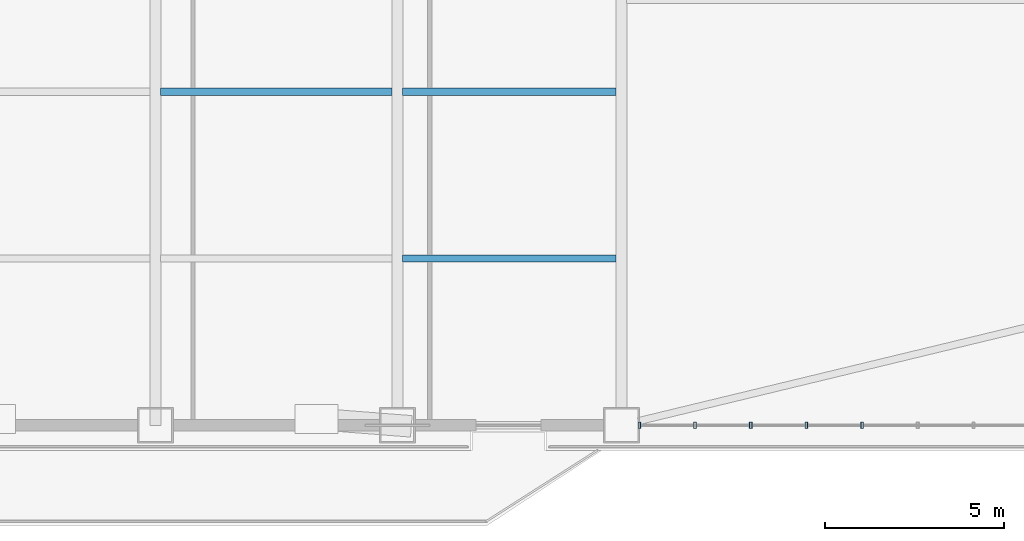
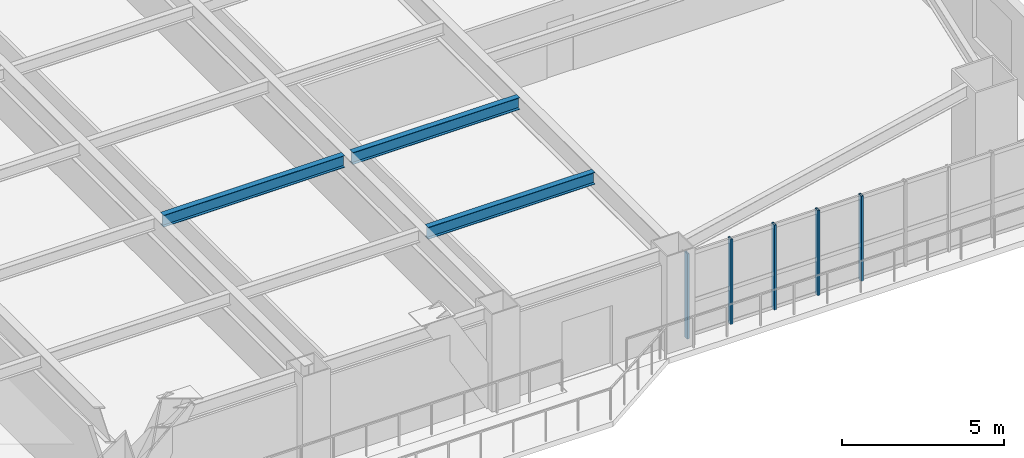
# One storey, part 6 of 18: 5 members, 3 beams, 1 element without a shape of its own.
"""IFC4 building model written with IfcOpenShell, lengths in metres."""

from ifc_helpers import new_model, si_unit, direction, frame, origin, origin_2d, place, context, subcontext, project, spatial, hollow_rectangle, i_section, extrude, source, transform, mapped, material, layer, layer_set, material_profile, profile_set, type_object, element, aggregate, save


model = new_model("IFC4")

# Units and contexts
model_context = context("Model", 3, precision=1e-05, world=origin(), true_north=direction((0.0, 1.0)))
body_context = subcontext(model_context, "Body", "Model", "MODEL_VIEW")
ifc_project = project(units=[si_unit("LENGTHUNIT", "METRE"), si_unit("AREAUNIT", "SQUARE_METRE"), si_unit("VOLUMEUNIT", "CUBIC_METRE"), si_unit("PLANEANGLEUNIT", "RADIAN"), si_unit("MASSUNIT", "GRAM", prefix="KILO")], contexts=[model_context])

# Site, building, storey
site_placement = place(None, origin())
site = spatial("IfcSite", under=ifc_project, at=site_placement, CompositionType="ELEMENT")
building_placement = place(site_placement, origin())
building = spatial("IfcBuilding", under=site, at=building_placement, Name="Giltprow Tower", CompositionType="ELEMENT")
storey_placement = place(building_placement, frame((0.0, 0.0, 61.10009765625)))
storey = spatial("IfcBuildingStorey", under=building, at=storey_placement, Name="L15", CompositionType="ELEMENT", Elevation=61.10009765625)

# Beams
ifc_material_1 = material(Name="Structural steel Q355B", Category="steel")
ifc_material_profile_1 = material_profile(ifc_material_1, i_section(OverallWidth=0.199951171875, OverallDepth=0.449951171875, WebThickness=0.009033203125, FlangeThickness=0.013916015625, at=origin_2d()), Name="HN 450x200x9x14")
ifc_profile_set_1 = profile_set([ifc_material_profile_1], Name="Structural steel Q355B")
beam_type = type_object("IfcBeamType", Name="BM-JOIST-HN450", PredefinedType="JOIST", material=ifc_profile_set_1)
shared_shape_1 = source(origin(), body_context, "Body", "SweptSolid", [
    extrude(i_section(OverallWidth=0.199951171875, OverallDepth=0.449951171875, WebThickness=0.009033203125, FlangeThickness=0.013916015625, at=origin_2d()), origin(), (0.0, 0.0, 1.0), 6.4599609375),
])
beam_placement = place(storey_placement, frame((37.695068359375, 14.18701171875, 3.454833984375), z_axis=(1.0, 0.0, 0.0), x_axis=(0.0, 1.0, 0.0)))
element("IfcBeam", 1, at=beam_placement, inside=storey, type_object=beam_type, Name="L15 Composite Floor Joist 2-3", PredefinedType="JOIST", context=body_context, shape_type="MappedRepresentation", body=[
    mapped(shared_shape_1, transform((0.0, 0.0, 0.0), x_axis=(1.0, 0.0, 0.0), y_axis=(0.0, 1.0, 0.0), z_axis=(0.0, 0.0, 1.0), scale=1.0)),
])
shared_shape_2 = source(origin(), body_context, "Body", "SweptSolid", [
    extrude(i_section(OverallWidth=0.199951171875, OverallDepth=0.449951171875, WebThickness=0.009033203125, FlangeThickness=0.013916015625, at=origin_2d()), origin(), (0.0, 0.0, 1.0), 5.9599609375),
])
for number, where, z_axis, x_axis, name in (
    (2, (44.445068359375, 9.534912109375, 3.454833984375), (1.0, 0.0, 0.0), (0.0, 1.0, 0.0), "L15 Composite Floor Joist 1-4"),
    (3, (44.445068359375, 14.18701171875, 3.454833984375), (1.0, 0.0, 0.0), (0.0, 1.0, 0.0), "L15 Composite Floor Joist 2-4"),
):
    element("IfcBeam", number, at=place(storey_placement, frame(where, z_axis=z_axis, x_axis=x_axis)), inside=storey, type_object=beam_type, Name=name, PredefinedType="JOIST", context=body_context, shape_type="MappedRepresentation", body=[
        mapped(shared_shape_2, transform((0.0, 0.0, 0.0), x_axis=(1.0, 0.0, 0.0), y_axis=(0.0, 1.0, 0.0), z_axis=(0.0, 0.0, 1.0), scale=1.0)),
    ])

# Curtain wall, members
ifc_material_2 = material(Name="Anodized bronze", Category="metal")
ifc_layer = layer(ifc_material_2, 0.179931640625, Name="Anodized bronze")
ifc_layer_set = layer_set([ifc_layer], Name="Anodized bronze")
curtain_wall_type = type_object("IfcCurtainWallType", Name="CW-OFF-RECESSED", PredefinedType="NOTDEFINED", material=ifc_layer_set)
curtain_wall_placement = place(storey_placement, origin())
curtain_wall = element("IfcCurtainWall", 4, at=curtain_wall_placement, inside=storey, type_object=curtain_wall_type, Name="L15 South Recessed Curtain Wall 6", PredefinedType="NOTDEFINED")
ifc_material_profile_2 = material_profile(ifc_material_2, hollow_rectangle(XDim=0.074951171875, YDim=0.179931640625, WallThickness=0.008056640625, at=origin_2d()), Name="RHS 180x75x8")
ifc_profile_set_2 = profile_set([ifc_material_profile_2], Name="Anodized bronze")
member_type = type_object("IfcMemberType", Name="CW-MULLION-180x75", PredefinedType="MULLION", material=ifc_profile_set_2)
shared_shape_3 = source(origin(), body_context, "Body", "SweptSolid", [
    extrude(hollow_rectangle(XDim=0.074951171875, YDim=0.179931640625, WallThickness=0.008056640625, at=origin_2d()), origin(), (0.0, 0.0, 1.0), 3.21484375),
])
member_1_placement = place(storey_placement, frame((51.050048828125, 4.882080078125, -0.02001953125), z_axis=(0.0, 0.0, 1.0), x_axis=(1.0, 0.0, 0.0)))
member_1 = element("IfcMember", 5, at=member_1_placement, type_object=member_type, Name="L15 South Recessed Curtain Wall 6 Mullion 1", PredefinedType="MULLION", context=body_context, shape_type="MappedRepresentation", body=[
    mapped(shared_shape_3, transform((0.0, 0.0, 0.0), x_axis=(1.0, 0.0, 0.0), y_axis=(0.0, 1.0, 0.0), z_axis=(0.0, 0.0, 1.0), scale=1.0)),
])
member_2_placement = place(storey_placement, frame((52.60302734375, 4.882080078125, -0.02001953125), z_axis=(0.0, 0.0, 1.0), x_axis=(1.0, 0.0, 0.0)))
member_2 = element("IfcMember", 6, at=member_2_placement, type_object=member_type, Name="L15 South Recessed Curtain Wall 6 Mullion 2", PredefinedType="MULLION", context=body_context, shape_type="MappedRepresentation", body=[
    mapped(shared_shape_3, transform((0.0, 0.0, 0.0), x_axis=(1.0, 0.0, 0.0), y_axis=(0.0, 1.0, 0.0), z_axis=(0.0, 0.0, 1.0), scale=1.0)),
])
member_3_placement = place(storey_placement, frame((54.156005859375, 4.882080078125, -0.02001953125), z_axis=(0.0, 0.0, 1.0), x_axis=(1.0, 0.0, 0.0)))
member_3 = element("IfcMember", 7, at=member_3_placement, type_object=member_type, Name="L15 South Recessed Curtain Wall 6 Mullion 3", PredefinedType="MULLION", context=body_context, shape_type="MappedRepresentation", body=[
    mapped(shared_shape_3, transform((0.0, 0.0, 0.0), x_axis=(1.0, 0.0, 0.0), y_axis=(0.0, 1.0, 0.0), z_axis=(0.0, 0.0, 1.0), scale=1.0)),
])
member_4_placement = place(storey_placement, frame((55.708984375, 4.882080078125, -0.02001953125), z_axis=(0.0, 0.0, 1.0), x_axis=(1.0, 0.0, 0.0)))
member_4 = element("IfcMember", 8, at=member_4_placement, type_object=member_type, Name="L15 South Recessed Curtain Wall 6 Mullion 4", PredefinedType="MULLION", context=body_context, shape_type="MappedRepresentation", body=[
    mapped(shared_shape_3, transform((0.0, 0.0, 0.0), x_axis=(1.0, 0.0, 0.0), y_axis=(0.0, 1.0, 0.0), z_axis=(0.0, 0.0, 1.0), scale=1.0)),
])
member_5_placement = place(storey_placement, frame((57.261962890625, 4.882080078125, -0.02001953125), z_axis=(0.0, 0.0, 1.0), x_axis=(1.0, 0.0, 0.0)))
member_5 = element("IfcMember", 9, at=member_5_placement, type_object=member_type, Name="L15 South Recessed Curtain Wall 6 Mullion 5", PredefinedType="MULLION", context=body_context, shape_type="MappedRepresentation", body=[
    mapped(shared_shape_3, transform((0.0, 0.0, 0.0), x_axis=(1.0, 0.0, 0.0), y_axis=(0.0, 1.0, 0.0), z_axis=(0.0, 0.0, 1.0), scale=1.0)),
])
aggregate(curtain_wall, [member_1, member_2, member_3, member_4, member_5])

save(model, "model.ifc")
